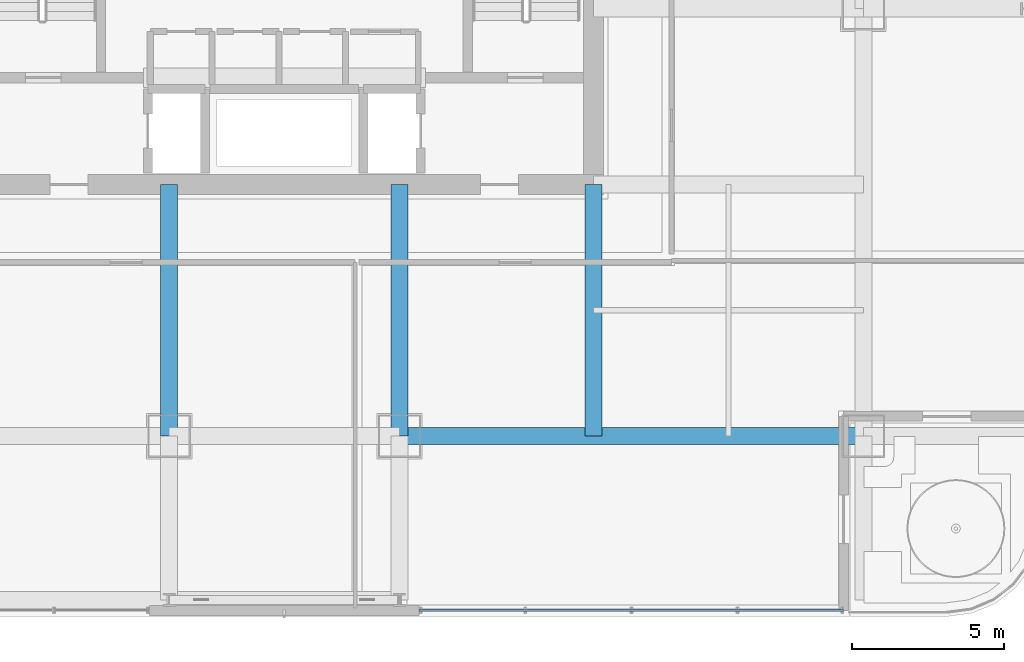
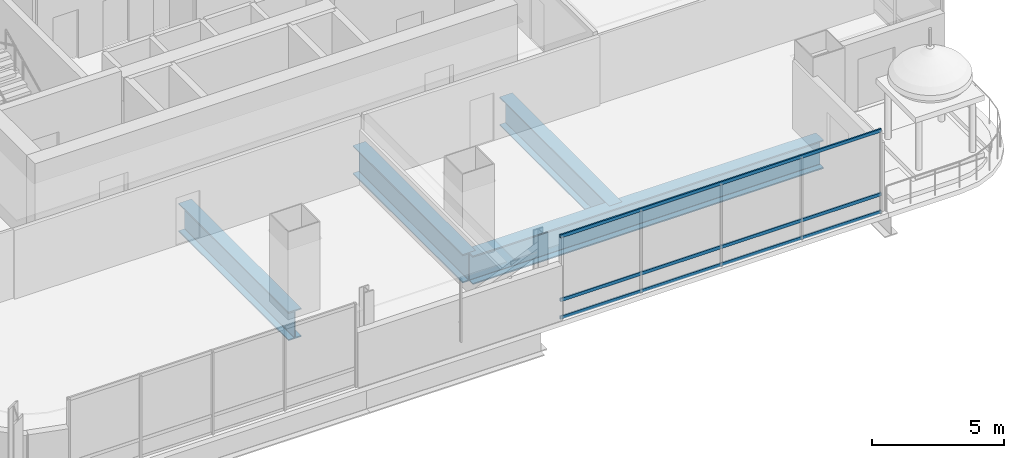
# One storey, part 6 of 41: 4 beams, 3 members, 1 element without a shape of its own.
"""IFC4 building model written with IfcOpenShell, lengths in metres."""

import ifcopenshell
import ifcopenshell.guid

model = None  # the IFC model being written
_history = None  # IfcOwnerHistory: only IFC2X3 demands one
_inside = {}  # id of a spatial element -> (the spatial element, [elements in it])
_under = {}  # id of a project, library or spatial element -> (it, [spatial elements below it])
_declared = {}  # id of a project -> (the project, [libraries it declares])
_typed = {}  # id of a type object -> (the type object, [elements of that type])
_made_of = {}  # id of a material, layer set ... -> (it, [elements and type objects made of it])


def new_model(schema):
    """Start an empty IFC model of exactly this schema.

    Asked for "IFC4X3", IfcOpenShell would pick the latest addendum, in which some entities
    have other attributes; the version numbers below select the first issue.
    IFC2X3 requires an IfcOwnerHistory on every rooted entity: one is made here for all.
    """
    global model, _history
    if schema == "IFC4X3":
        model = ifcopenshell.file(schema_version=(4, 3, 0, 0))
    else:
        model = ifcopenshell.file(schema=schema)
    _inside.clear()
    _under.clear()
    _declared.clear()
    _typed.clear()
    _made_of.clear()
    _history = None
    if model.schema == "IFC2X3":
        org = make("IfcOrganization", Name="unknown")
        user = make(
            "IfcPersonAndOrganization",
            ThePerson=make("IfcPerson", FamilyName="unknown"),
            TheOrganization=org,
        )
        app = make(
            "IfcApplication",
            ApplicationDeveloper=org,
            Version="unknown",
            ApplicationFullName="unknown",
            ApplicationIdentifier="unknown",
        )
        _history = make(
            "IfcOwnerHistory",
            OwningUser=user,
            OwningApplication=app,
            ChangeAction="ADDED",
            CreationDate=0,
        )
    return model


def make(cls, **values):
    """One entity of the class cls with the attributes given. An attribute that is None is left unset."""
    return model.create_entity(
        cls, **{name: value for name, value in values.items() if value is not None}
    )


def rooted(cls, **values):
    """An entity with a GlobalId (a new one), such as an element, a storey or a relation."""
    return make(cls, GlobalId=ifcopenshell.guid.new(), OwnerHistory=_history, **values)


def si_unit(unit_type, name, prefix=None):
    """IfcSIUnit, for example si_unit("LENGTHUNIT", "METRE", prefix="MILLI")."""
    return make("IfcSIUnit", UnitType=unit_type, Prefix=prefix, Name=name)


def assignment(units):
    """IfcUnitAssignment: the units of a project."""
    return None if units is None else make("IfcUnitAssignment", Units=units)


def point(xyz):
    """IfcCartesianPoint."""
    return None if xyz is None else make("IfcCartesianPoint", Coordinates=xyz)


def direction(xyz):
    """IfcDirection."""
    return None if xyz is None else make("IfcDirection", DirectionRatios=xyz)


def frame(location, z_axis=None, x_axis=None):
    """IfcAxis2Placement3D, a coordinate frame: its origin and axes. An axis left out is left unset."""
    return make(
        "IfcAxis2Placement3D",
        Location=point(location),
        Axis=direction(z_axis),
        RefDirection=direction(x_axis),
    )


def frame_2d(location, x_axis=None):
    """IfcAxis2Placement2D, a coordinate frame in the plane: its origin and x axis."""
    return make(
        "IfcAxis2Placement2D", Location=point(location), RefDirection=direction(x_axis)
    )


def origin():
    """The frame at (0, 0, 0) with its axes left unset."""
    return frame((0.0, 0.0, 0.0))


def origin_2d():
    """The frame at (0, 0) in the plane with its x axis left unset."""
    return frame_2d((0.0, 0.0))


def place(relative_to, where):
    """IfcLocalPlacement: puts the frame where relative to a parent placement (None: the world)."""
    return make(
        "IfcLocalPlacement", PlacementRelTo=relative_to, RelativePlacement=where
    )


def context(
    kind, dimensions, precision=None, world=None, true_north=None, identifier=None
):
    """IfcGeometricRepresentationContext, for example the 3D "Model" context."""
    return make(
        "IfcGeometricRepresentationContext",
        ContextIdentifier=identifier,
        ContextType=kind,
        CoordinateSpaceDimension=dimensions,
        Precision=precision,
        WorldCoordinateSystem=world,
        TrueNorth=true_north,
    )


def subcontext(parent, identifier, kind, view, scale=None):
    """IfcGeometricRepresentationSubContext, for example "Body" below "Model"."""
    return make(
        "IfcGeometricRepresentationSubContext",
        ContextIdentifier=identifier,
        ContextType=kind,
        ParentContext=parent,
        TargetScale=scale,
        TargetView=view,
    )


def project(units=None, contexts=None):
    """IfcProject with its units and contexts."""
    return rooted(
        "IfcProject",
        Name="project",
        RepresentationContexts=contexts,
        UnitsInContext=assignment(units),
    )


def spatial(cls, under=None, at=None, **own):
    """A site, building, storey or space (cls), placed at a placement, below another one or the project."""
    s = rooted(cls, ObjectPlacement=at, **own)
    if under is not None:
        _under.setdefault(under.id(), (under, []))[1].append(s)
    return s


def profile(cls, at=None, kind="AREA", **sizes):
    """A parametric profile (cls). Its sizes go by their IFC names, for example OverallWidth=200.0."""
    return make(cls, ProfileType=kind, Position=at, **sizes)


def hollow_rectangle(**sizes):
    """IfcRectangleHollowProfileDef."""
    return profile("IfcRectangleHollowProfileDef", **sizes)


def i_section(**sizes):
    """IfcIShapeProfileDef."""
    return profile("IfcIShapeProfileDef", **sizes)


def extrude(swept, where, along, depth):
    """IfcExtrudedAreaSolid: the profile swept, set in the frame where, extruded along a direction by depth."""
    return make(
        "IfcExtrudedAreaSolid",
        SweptArea=swept,
        Position=where,
        ExtrudedDirection=direction(along),
        Depth=depth,
    )


def shape(context_of_items, identifier, shape_type, items):
    """IfcShapeRepresentation: the items that make up one representation, for example the "Body"."""
    return make(
        "IfcShapeRepresentation",
        ContextOfItems=context_of_items,
        RepresentationIdentifier=identifier,
        RepresentationType=shape_type,
        Items=items,
    )


def material(Name=None, Category=None):
    """IfcMaterial."""
    return make("IfcMaterial", Name=Name, Category=Category)


def material_profile(
    of_material, cross_section, Name=None, Category=None, Priority=None
):
    """IfcMaterialProfile: a cross section and its material."""
    return make(
        "IfcMaterialProfile",
        Name=Name,
        Material=of_material,
        Profile=cross_section,
        Priority=Priority,
        Category=Category,
    )


def profile_set(profiles, Name=None, composite=None):
    """IfcMaterialProfileSet."""
    return make(
        "IfcMaterialProfileSet",
        Name=Name,
        MaterialProfiles=profiles,
        CompositeProfile=composite,
    )


def made_of(thing, what):
    """Note that an element or type object is made of a material, layer set ...; save() writes the relation."""
    if what is not None:
        _made_of.setdefault(what.id(), (what, []))[1].append(thing)
    return thing


def type_object(cls, material=None, **own):
    """A type object (cls), such as IfcWallType, which elements share."""
    return made_of(rooted(cls, **own), material)


def element(
    cls,
    number,
    at=None,
    inside=None,
    cuts=None,
    type_object=None,
    material=None,
    context=None,
    identifier="Body",
    shape_type=None,
    held_by="IfcProductDefinitionShape",
    body=None,
    shapes=None,
    **own,
):
    """One element of the class cls, such as IfcWall. Its Tag is "e" and its number.

    at: its placement. inside: the storey or other place that contains it. cuts: it is an
    opening in that element (IfcRelVoidsElement). A single representation is given by context,
    identifier, shape_type and body (its items); several are given by shapes. held_by: the class
    of the entity that holds the representations. save() writes the other relations.
    """
    e = rooted(cls, Tag="e%d" % number, ObjectPlacement=at, **own)
    if body is not None:
        shapes = [shape(context, identifier, shape_type, body)]
    if shapes is not None:
        e.Representation = make(held_by, Representations=shapes)
    if inside is not None:
        _inside.setdefault(inside.id(), (inside, []))[1].append(e)
    if cuts is not None:
        rooted(
            "IfcRelVoidsElement", RelatingBuildingElement=cuts, RelatedOpeningElement=e
        )
    if type_object is not None:
        _typed.setdefault(type_object.id(), (type_object, []))[1].append(e)
    return made_of(e, material)


def aggregate(whole, parts):
    """IfcRelAggregates: a whole, such as a stair, and the parts it consists of."""
    return rooted("IfcRelAggregates", RelatingObject=whole, RelatedObjects=parts)


def save(model, path):
    """Write the relations noted so far, then the file.

    IfcRelAggregates (storeys below a building ...), IfcRelContainedInSpatialStructure (elements
    in a storey), IfcRelDefinesByType, IfcRelAssociatesMaterial and IfcRelDeclares: one each for
    every whole, place, type object, material and project.
    """
    for whole, parts in _under.values():
        aggregate(whole, parts)
    for where, things in _inside.values():
        rooted(
            "IfcRelContainedInSpatialStructure",
            RelatedElements=things,
            RelatingStructure=where,
        )
    for kind, things in _typed.values():
        rooted("IfcRelDefinesByType", RelatedObjects=things, RelatingType=kind)
    for what, things in _made_of.values():
        rooted("IfcRelAssociatesMaterial", RelatedObjects=things, RelatingMaterial=what)
    for by, libraries in _declared.values():
        rooted("IfcRelDeclares", RelatingContext=by, RelatedDefinitions=libraries)
    model.write(path)


model = new_model("IFC4")

# Units and contexts
model_context = context("Model", 3, precision=1e-05, world=origin(), true_north=direction((0.0, 1.0)))
body_context = subcontext(model_context, "Body", "Model", "MODEL_VIEW")
ifc_project = project(units=[si_unit("LENGTHUNIT", "METRE"), si_unit("AREAUNIT", "SQUARE_METRE"), si_unit("VOLUMEUNIT", "CUBIC_METRE"), si_unit("PLANEANGLEUNIT", "RADIAN"), si_unit("MASSUNIT", "GRAM", prefix="KILO")], contexts=[model_context])

# Site, building, storey
site_placement = place(None, origin())
site = spatial("IfcSite", under=ifc_project, at=site_placement, CompositionType="ELEMENT")
building_placement = place(site_placement, origin())
building = spatial("IfcBuilding", under=site, at=building_placement, Name="Punatoya Terracotta Tower", CompositionType="ELEMENT")
storey_placement = place(building_placement, frame((0.0, 0.0, 220.800048828125)))
storey = spatial("IfcBuildingStorey", under=building, at=storey_placement, Name="L52", CompositionType="ELEMENT", Elevation=220.800048828125)

# Beams
ifc_material_1 = material(Name="Steel S460", Category="steel")
ifc_material_profile_1 = material_profile(ifc_material_1, i_section(OverallWidth=0.56005859375, OverallDepth=1.320068359375, WebThickness=0.035888671875, FlangeThickness=0.054931640625, FilletRadius=0.01806640625, at=origin_2d()))
ifc_profile_set_1 = profile_set([ifc_material_profile_1], Name="Steel S460")
beam_type = type_object("IfcBeamType", Name="BM-TG-BLK", PredefinedType="BEAM", material=ifc_profile_set_1)
beam_placement = place(storey_placement, frame((3.800048828125, -17.5, -0.880126953125), z_axis=(1.0, 0.0, 0.0), x_axis=(0.0, 1.0, 0.0)))
element("IfcBeam", 1, at=beam_placement, inside=storey, type_object=beam_type, Name="BM-L52-RG-S3", PredefinedType="BEAM", context=body_context, shape_type="SweptSolid", body=[
    extrude(i_section(OverallWidth=0.56005859375, OverallDepth=1.320068359375, WebThickness=0.035888671875, FlangeThickness=0.054931640625, FilletRadius=0.01806640625, at=origin_2d()), origin(), (0.0, 0.0, 1.0), 15.300048828125),
])
for number, where, z_axis, x_axis, name in (
    (2, (-3.800048828125, -17.5, -0.880126953125), (0.0, 1.0, 0.0), (-1.0, 0.0, 0.0), "BM-L52-PR-S2"),
    (3, (3.800048828125, -17.5, -0.880126953125), (0.0, 1.0, 0.0), (-1.0, 0.0, 0.0), "BM-L52-PR-S3"),
    (4, (10.199951171875, -17.5, -0.880126953125), (0.0, 1.0, 0.0), (-1.0, 0.0, 0.0), "BM-L52-PR-S4"),
):
    element("IfcBeam", number, at=place(storey_placement, frame(where, z_axis=z_axis, x_axis=x_axis)), inside=storey, type_object=beam_type, Name=name, PredefinedType="BEAM", context=body_context, shape_type="SweptSolid", body=[
        extrude(i_section(OverallWidth=0.56005859375, OverallDepth=1.320068359375, WebThickness=0.035888671875, FlangeThickness=0.054931640625, FilletRadius=0.01806640625, at=origin_2d()), origin(), (0.0, 0.0, 1.0), 8.300048828125),
    ])

# Curtain wall, members
ifc_material_2 = material(Name="Aluminium 6063-T6 + Double Low-E Glass", Category="aluminium")
curtain_wall_type = type_object("IfcCurtainWallType", Name="CW-M2", PredefinedType="NOTDEFINED", material=ifc_material_2)
curtain_wall_placement = place(storey_placement, origin())
curtain_wall = element("IfcCurtainWall", 5, at=curtain_wall_placement, inside=storey, type_object=curtain_wall_type, Name="L52 Curtain Wall CW-L52-S01-2", PredefinedType="NOTDEFINED")
ifc_material_3 = material(Name="Aluminium 6063-T6", Category="aluminium")
ifc_material_profile_2 = material_profile(ifc_material_3, hollow_rectangle(XDim=0.068115234375, YDim=0.14990234375, WallThickness=0.00390625, at=origin_2d()))
ifc_profile_set_2 = profile_set([ifc_material_profile_2], Name="Aluminium 6063-T6")
member_type = type_object("IfcMemberType", Name="CW-TRN-TYP", PredefinedType="USERDEFINED", material=ifc_profile_set_2)
member_1_placement = place(storey_placement, frame((4.449951171875, -23.25, 0.0400390625), z_axis=(1.0, 0.0, 0.0), x_axis=(0.0, 1.0, 0.0)))
member_1 = element("IfcMember", 6, at=member_1_placement, type_object=member_type, Name="CW-L52-S01-2 Transom 1", ObjectType="TRANSOM", PredefinedType="USERDEFINED", context=body_context, shape_type="SweptSolid", body=[
    extrude(hollow_rectangle(XDim=0.068115234375, YDim=0.14990234375, WallThickness=0.00390625, at=origin_2d()), origin(), (0.0, 0.0, 1.0), 14.0),
])
member_2_placement = place(storey_placement, frame((4.449951171875, -23.25, 0.849853515625), z_axis=(1.0, 0.0, 0.0), x_axis=(0.0, 1.0, 0.0)))
member_2 = element("IfcMember", 7, at=member_2_placement, type_object=member_type, Name="CW-L52-S01-2 Transom 2", ObjectType="TRANSOM", PredefinedType="USERDEFINED", context=body_context, shape_type="SweptSolid", body=[
    extrude(hollow_rectangle(XDim=0.068115234375, YDim=0.14990234375, WallThickness=0.00390625, at=origin_2d()), origin(), (0.0, 0.0, 1.0), 14.0),
])
member_3_placement = place(storey_placement, frame((4.449951171875, -23.25, 3.7900390625), z_axis=(1.0, 0.0, 0.0), x_axis=(0.0, 1.0, 0.0)))
member_3 = element("IfcMember", 8, at=member_3_placement, type_object=member_type, Name="CW-L52-S01-2 Transom 3", ObjectType="TRANSOM", PredefinedType="USERDEFINED", context=body_context, shape_type="SweptSolid", body=[
    extrude(hollow_rectangle(XDim=0.068115234375, YDim=0.14990234375, WallThickness=0.00390625, at=origin_2d()), origin(), (0.0, 0.0, 1.0), 14.0),
])
aggregate(curtain_wall, [member_1, member_2, member_3])

save(model, "model.ifc")
